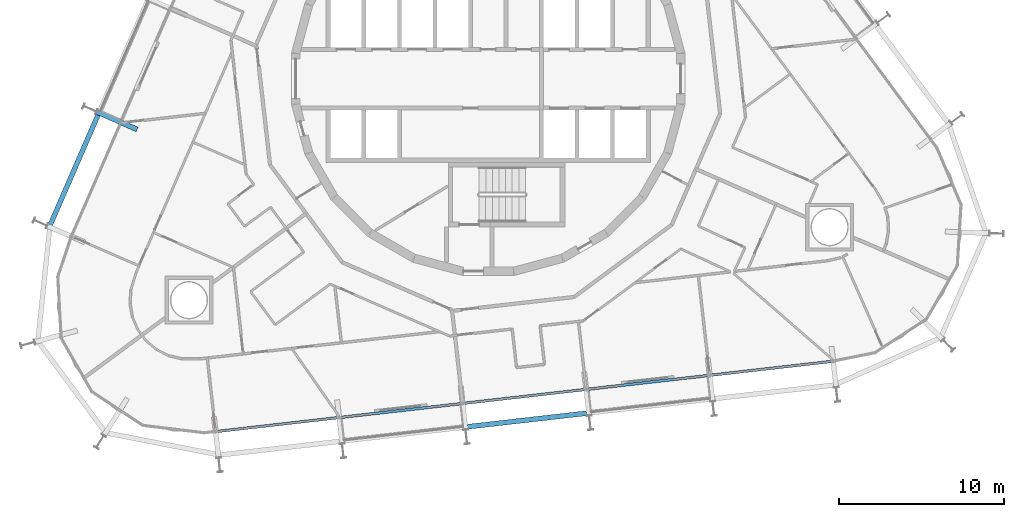
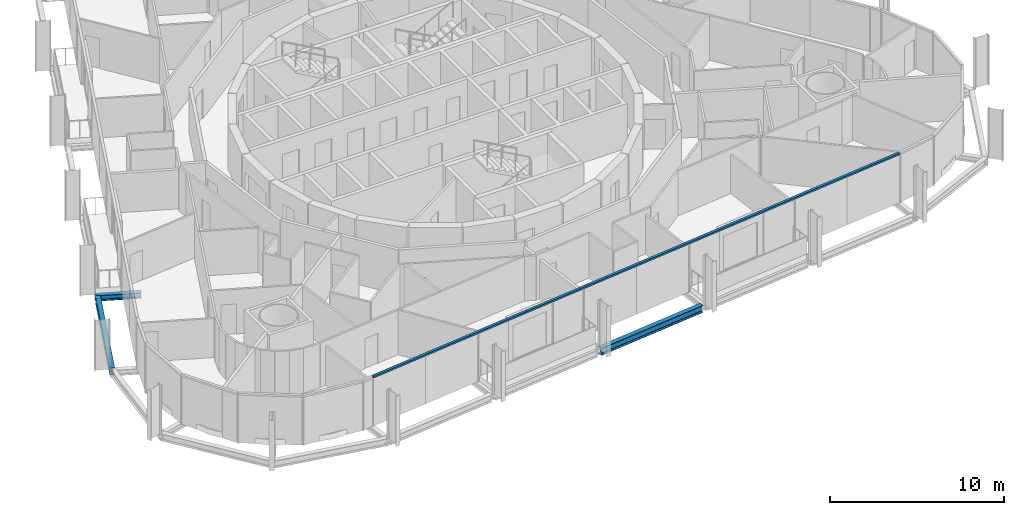
# One storey, part 4 of 21: 3 beams, 1 member, 1 element without a shape of its own.
"""IFC4 building model written with IfcOpenShell, lengths in metres."""

from ifc_helpers import new_model, si_unit, direction, frame, origin, origin_2d, place, context, subcontext, project, spatial, rectangle, i_section, extrude, material, layer, layer_set, material_profile, profile_set, type_object, element, aggregate, save


model = new_model("IFC4")

# Units and contexts
model_context = context("Model", 3, precision=1e-05, world=origin(), true_north=direction((0.0, 1.0)))
body_context = subcontext(model_context, "Body", "Model", "MODEL_VIEW")
ifc_project = project(units=[si_unit("LENGTHUNIT", "METRE"), si_unit("AREAUNIT", "SQUARE_METRE"), si_unit("VOLUMEUNIT", "CUBIC_METRE"), si_unit("PLANEANGLEUNIT", "RADIAN"), si_unit("MASSUNIT", "GRAM", prefix="KILO")], contexts=[model_context])

# Site, building, storey
site_placement = place(None, origin())
site = spatial("IfcSite", under=ifc_project, at=site_placement, CompositionType="ELEMENT")
building_placement = place(site_placement, origin())
building = spatial("IfcBuilding", under=site, at=building_placement, Name="Spindle Arch Residences", CompositionType="ELEMENT")
storey_placement = place(building_placement, frame((0.0, 0.0, 97.699951171875)))
storey = spatial("IfcBuildingStorey", under=building, at=storey_placement, Name="L23", CompositionType="ELEMENT", Elevation=97.699951171875)

# Curtain wall, member
ifc_material_1 = material(Name="Aluminium bronze unitised frame with tinted glass", Category="aluminium")
ifc_layer = layer(ifc_material_1, 0.159912109375)
ifc_layer_set = layer_set([ifc_layer], Name="CW-C typical residential unitised wall")
curtain_wall_type = type_object("IfcCurtainWallType", Name="CW-C typical residential unitised wall", PredefinedType="NOTDEFINED", material=ifc_layer_set)
curtain_wall_placement = place(storey_placement, origin())
curtain_wall = element("IfcCurtainWall", 1, at=curtain_wall_placement, inside=storey, type_object=curtain_wall_type, Name="CW-C L23 run 6", PredefinedType="NOTDEFINED")
ifc_material_2 = material(Name="Aluminium bronze anodised transom", Category="aluminium")
ifc_material_profile_1 = material_profile(ifc_material_2, rectangle(XDim=0.159912109375, YDim=0.1201171875, at=origin_2d()), Name="TR 120x160")
ifc_profile_set_1 = profile_set([ifc_material_profile_1], Name="Aluminium bronze anodised transom")
member_type = type_object("IfcMemberType", Name="Bronze transom 120x160", PredefinedType="USERDEFINED", material=ifc_profile_set_1)
member_placement = place(storey_placement, frame((-16.457275390625, -21.337646484375, 3.06005859375), z_axis=(0.993571693336, 0.1132046386, 0.0), x_axis=(-0.1132046386, 0.993571693336, 0.0)))
member = element("IfcMember", 2, at=member_placement, type_object=member_type, Name="CW-C transom 00", ObjectType="TRANSOM", PredefinedType="USERDEFINED", context=body_context, shape_type="SweptSolid", body=[
    extrude(rectangle(XDim=0.159912109375, YDim=0.1201171875, at=origin_2d()), origin(), (0.0, 0.0, 1.0), 37.533935546875),
])
aggregate(curtain_wall, [member])

# Beams
ifc_material_3 = material(Name="Steel S460ML, intumescent coating R 120", Category="steel")
ifc_material_profile_2 = material_profile(ifc_material_3, i_section(OverallWidth=0.300048828125, OverallDepth=0.5, WebThickness=0.014404296875, FlangeThickness=0.028076171875, FilletRadius=0.027099609375, at=origin_2d()), Name="HEB 500")
ifc_profile_set_2 = profile_set([ifc_material_profile_2], Name="Steel S460ML, intumescent coating R 120")
beam_type_1 = type_object("IfcBeamType", Name="Exoskeleton edge beam HEB 500", PredefinedType="BEAM", material=ifc_profile_set_2)
beam_1_placement = place(storey_placement, frame((-23.5966796875, -2.1796875, -0.6298828125), z_axis=(-0.398760546857, -0.917055083553, 0.0), x_axis=(0.917055083553, -0.398760546857, 0.0)))
element("IfcBeam", 3, at=beam_1_placement, inside=storey, type_object=beam_type_1, Name="Exoskeleton edge beam 18", PredefinedType="BEAM", context=body_context, shape_type="SweptSolid", body=[
    extrude(i_section(OverallWidth=0.300048828125, OverallDepth=0.5, WebThickness=0.014404296875, FlangeThickness=0.028076171875, FilletRadius=0.027099609375, at=origin_2d()), origin(), (0.0, 0.0, 1.0), 7.2587890625),
])
beam_2_placement = place(storey_placement, frame((-1.2548828125, -21.0478515625, -0.6298828125), z_axis=(0.993575205863, 0.113173805691, 0.0), x_axis=(-0.113173805691, 0.993575205863, 0.0)))
element("IfcBeam", 4, at=beam_2_placement, inside=storey, type_object=beam_type_1, Name="Exoskeleton edge beam 24", PredefinedType="BEAM", context=body_context, shape_type="SweptSolid", body=[
    extrude(i_section(OverallWidth=0.300048828125, OverallDepth=0.5, WebThickness=0.014404296875, FlangeThickness=0.028076171875, FilletRadius=0.027099609375, at=origin_2d()), origin(), (0.0, 0.0, 1.0), 7.259033203125),
])
ifc_material_4 = material(Name="Steel S460ML, intumescent coating R 120", Category="steel")
ifc_material_profile_3 = material_profile(ifc_material_4, i_section(OverallWidth=0.300048828125, OverallDepth=0.389892578125, WebThickness=0.010986328125, FlangeThickness=0.01904296875, FilletRadius=0.027099609375, at=origin_2d()), Name="HEA 400")
ifc_profile_set_3 = profile_set([ifc_material_profile_3], Name="Steel S460ML, intumescent coating R 120")
beam_type_2 = type_object("IfcBeamType", Name="Floor outrigger HEA 400", PredefinedType="BEAM", material=ifc_profile_set_3)
beam_3_placement = place(storey_placement, frame((-23.670654296875, -2.005859375, -0.574951171875), z_axis=(0.917064197317, -0.398739586698, 0.0), x_axis=(0.398739586698, 0.917064197317, 0.0)))
element("IfcBeam", 5, at=beam_3_placement, inside=storey, type_object=beam_type_2, Name="Floor outrigger 18", PredefinedType="BEAM", context=body_context, shape_type="SweptSolid", body=[
    extrude(i_section(OverallWidth=0.300048828125, OverallDepth=0.389892578125, WebThickness=0.010986328125, FlangeThickness=0.01904296875, FilletRadius=0.027099609375, at=origin_2d()), origin(), (0.0, 0.0, 1.0), 2.64990234375),
])

save(model, "model.ifc")
